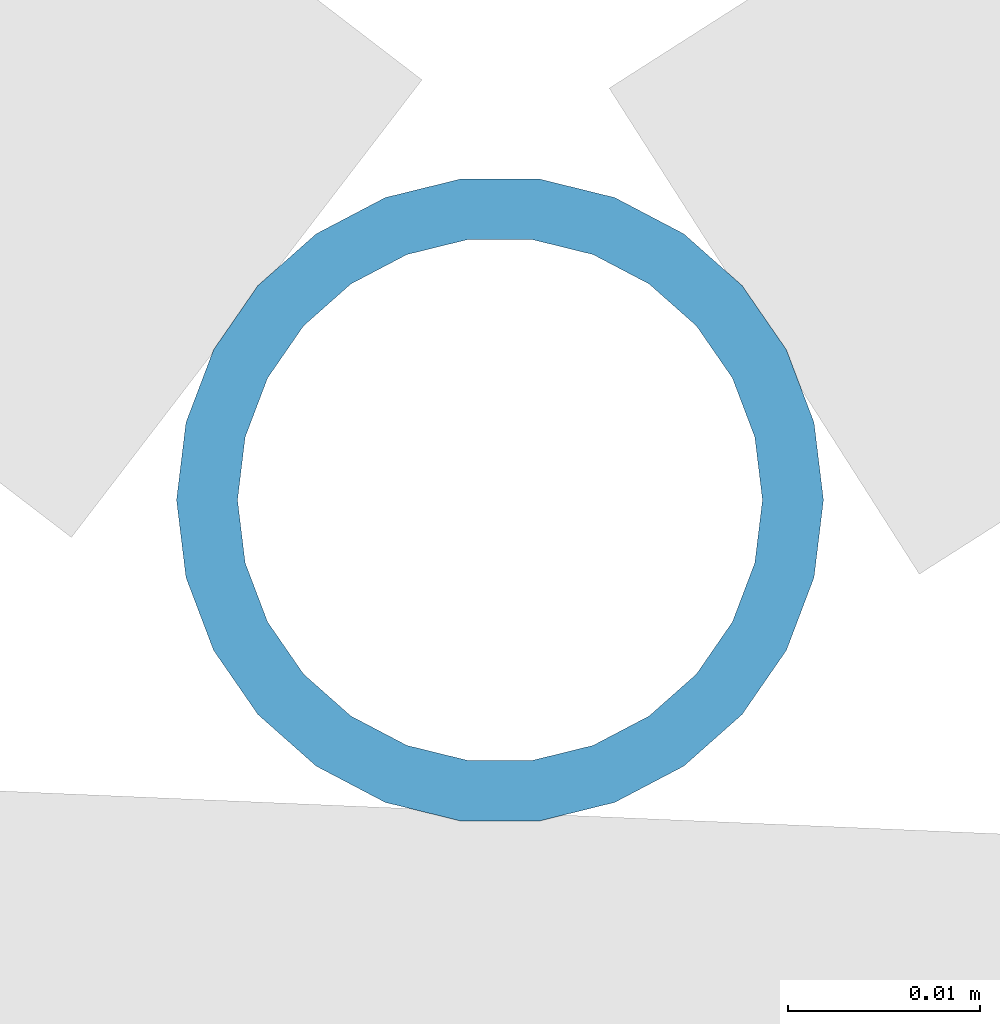
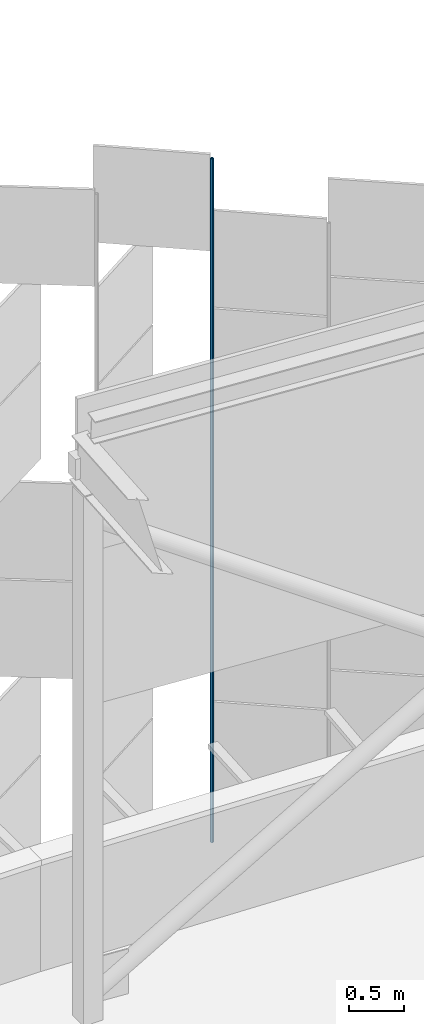
# One storey, part 389 of 483: 1 discrete accessory.
"""IFC4 building model written with IfcOpenShell, lengths in metres."""

from ifc_helpers import new_model, si_unit, direction, frame, origin, origin_2d, place, context, subcontext, project, spatial, hollow_circle, extrude, material, material_profile, profile_set, type_object, element, save


model = new_model("IFC4")

# Units and contexts
model_context = context("Model", 3, precision=1e-05, world=origin(), true_north=direction((0.0, 1.0)))
body_context = subcontext(model_context, "Body", "Model", "MODEL_VIEW")
ifc_project = project(units=[si_unit("LENGTHUNIT", "METRE"), si_unit("AREAUNIT", "SQUARE_METRE"), si_unit("VOLUMEUNIT", "CUBIC_METRE"), si_unit("PLANEANGLEUNIT", "RADIAN"), si_unit("MASSUNIT", "GRAM", prefix="KILO")], contexts=[model_context])

# Site, building, storey
site_placement = place(None, origin())
site = spatial("IfcSite", under=ifc_project, at=site_placement, CompositionType="ELEMENT")
building_placement = place(site_placement, origin())
building = spatial("IfcBuilding", under=site, at=building_placement, Name="Parallax Yard Mobility Hub", CompositionType="ELEMENT")
storey_placement = place(building_placement, frame((0.0, 0.0, 13.199951171875)))
storey = spatial("IfcBuildingStorey", under=building, at=storey_placement, Name="L04", CompositionType="ELEMENT", Elevation=13.199951171875)

# Discrete accessory
ifc_material = material(Name="Steel ASTM A500 Gr C, hot-dip galvanised", Category="steel")
ifc_material_profile = material_profile(ifc_material, hollow_circle(Radius=0.016845703125, WallThickness=0.003173828125, at=origin_2d()), Name="CHS 33.7x3.2")
ifc_profile_set = profile_set([ifc_material_profile], Name="Steel ASTM A500 Gr C, hot-dip galvanised")
discrete_accessory_type = type_object("IfcDiscreteAccessoryType", Name="Hinge post CHS 33.7x3.2", PredefinedType="BRACKET", material=ifc_profile_set)
discrete_accessory_placement = place(storey_placement, frame((174.892578125, 143.264892578125, 0.0), z_axis=(0.0, 0.0, 1.0), x_axis=(1.0, 0.0, 0.0)))
element("IfcDiscreteAccessory", 1, at=discrete_accessory_placement, inside=storey, type_object=discrete_accessory_type, Name="Hinge post bay 50.6 level L04", PredefinedType="BRACKET", context=body_context, shape_type="SweptSolid", body=[
    extrude(hollow_circle(Radius=0.016845703125, WallThickness=0.003173828125, at=origin_2d()), origin(), (0.0, 0.0, 1.0), 7.650146484375),
])

save(model, "model.ifc")
